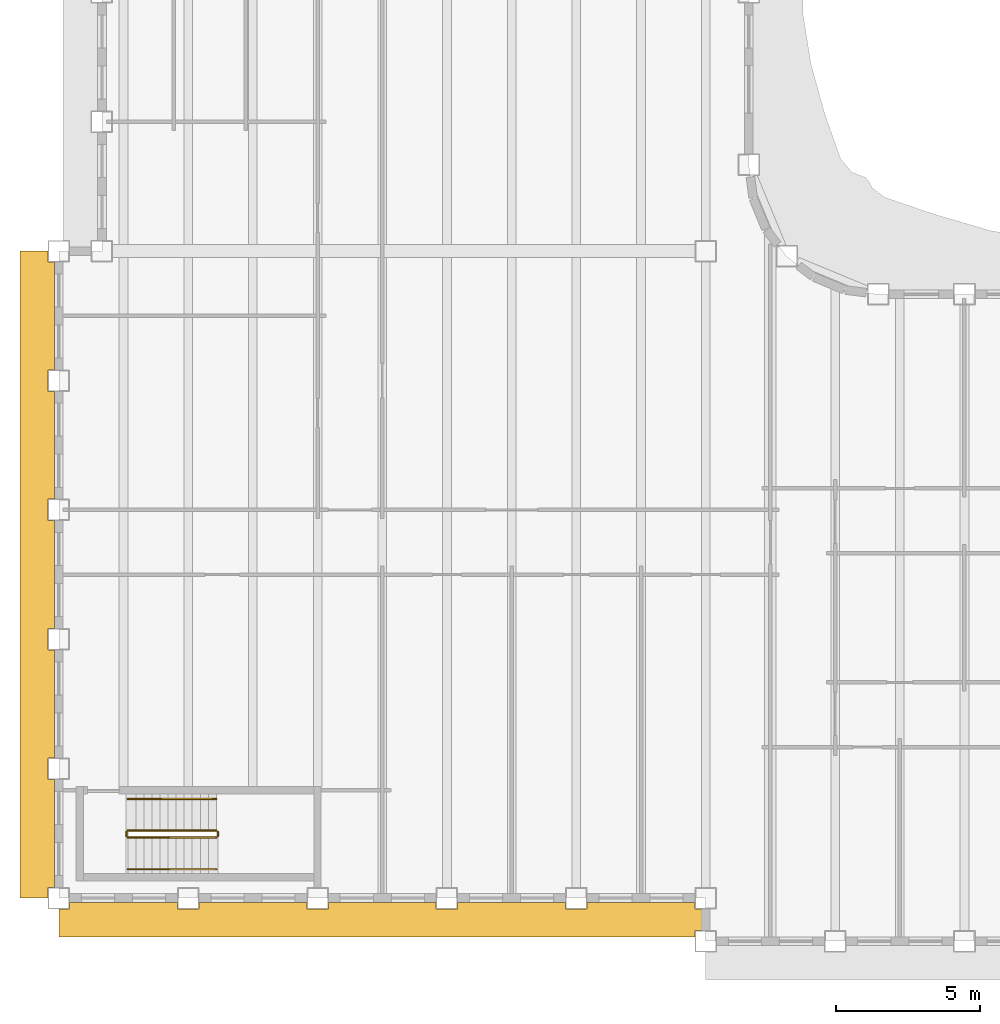
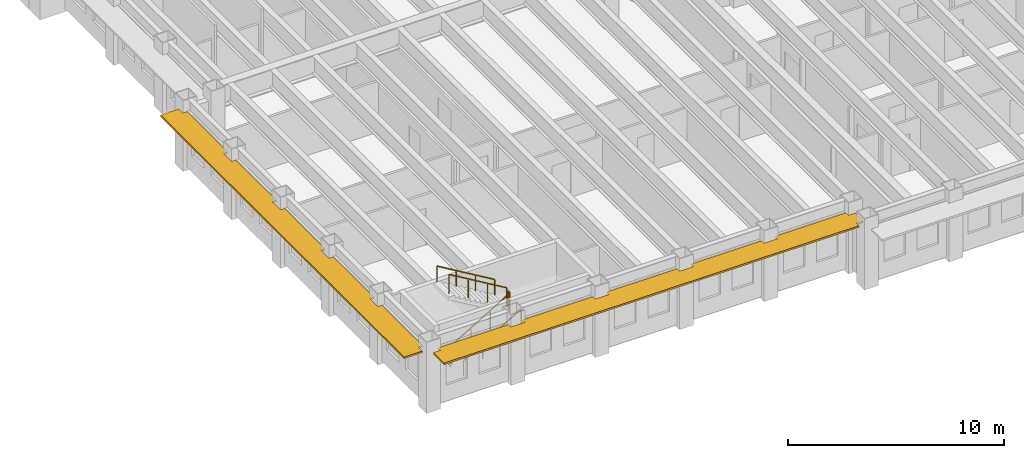
# One storey, part 11 of 16: 6 railings, 2 shading devices.
"""IFC4 building model written with IfcOpenShell, lengths in metres."""

from ifc_helpers import new_model, si_unit, direction, frame, origin, origin_2d, place, context, subcontext, project, spatial, polyline, rectangle, outline, extrude, material, layer, layer_set, type_object, element, save


model = new_model("IFC4")

# Units and contexts
model_context = context("Model", 3, precision=1e-05, world=origin(), true_north=direction((0.0, 1.0)))
body_context = subcontext(model_context, "Body", "Model", "MODEL_VIEW")
ifc_project = project(units=[si_unit("LENGTHUNIT", "METRE"), si_unit("AREAUNIT", "SQUARE_METRE"), si_unit("VOLUMEUNIT", "CUBIC_METRE"), si_unit("PLANEANGLEUNIT", "RADIAN"), si_unit("MASSUNIT", "GRAM", prefix="KILO")], contexts=[model_context])

# Site, building, storey
site_placement = place(None, origin())
site = spatial("IfcSite", under=ifc_project, at=site_placement, CompositionType="ELEMENT")
building_placement = place(site_placement, origin())
building = spatial("IfcBuilding", under=site, at=building_placement, Name="Sennacour Bend Tower", CompositionType="ELEMENT")
storey_placement = place(building_placement, frame((0.0, 0.0, 235.0)))
storey = spatial("IfcBuildingStorey", under=building, at=storey_placement, Name="L54", CompositionType="ELEMENT", Elevation=235.0)

# Railings
ifc_material_1 = material(Name="Stainless steel", Category="steel")
railing_type_1 = type_object("IfcRailingType", Name="RL-GUARD-1100", PredefinedType="GUARDRAIL", material=ifc_material_1)
railing_1_placement = place(storey_placement, frame((2.39990234375, 2.10009765625, 0.166748046875)))
element("IfcRailing", 1, at=railing_1_placement, inside=storey, type_object=railing_type_1, Name="L54 SK1 stair guard 1", PredefinedType="GUARDRAIL", context=body_context, shape_type="SweptSolid", body=[
    extrude(rectangle(XDim=0.048095703125, YDim=0.048095703125, at=origin_2d()), frame((0.0, 0.0, 1.076171875), z_axis=(0.859308565015, 0.0, 0.511457515432), x_axis=(0.0, 1.0, 0.0)), (0.0, 0.0, 1.0), 3.58447265625),
    extrude(rectangle(XDim=0.0419921875, YDim=0.0419921875, at=origin_2d()), origin(), (0.0, 0.0, 1.0), 1.052001953125),
    extrude(rectangle(XDim=0.0419921875, YDim=0.0419921875, at=origin_2d()), frame((1.026611328125, 0.0, 0.611083984375)), (0.0, 0.0, 1.0), 1.052001953125),
    extrude(rectangle(XDim=0.0419921875, YDim=0.0419921875, at=origin_2d()), frame((2.053466796875, 0.0, 1.22216796875)), (0.0, 0.0, 1.0), 1.052001953125),
    extrude(rectangle(XDim=0.0419921875, YDim=0.0419921875, at=origin_2d()), frame((3.080078125, 0.0, 1.833251953125)), (0.0, 0.0, 1.0), 1.052001953125),
])
railing_2_placement = place(storey_placement, frame((5.530029296875, 2.14990234375, 2.0)))
element("IfcRailing", 2, at=railing_2_placement, inside=storey, type_object=railing_type_1, Name="L54 SK1 stair guard 2", PredefinedType="GUARDRAIL", context=body_context, shape_type="SweptSolid", body=[
    extrude(rectangle(XDim=0.048095703125, YDim=0.048095703125, at=origin_2d()), frame((0.0, 0.0, 1.076171875), z_axis=(0.0, 1.0, 0.0), x_axis=(-1.0, 0.0, 0.0)), (0.0, 0.0, 1.0), 0.150146484375),
    extrude(rectangle(XDim=0.0419921875, YDim=0.0419921875, at=origin_2d()), origin(), (0.0, 0.0, 1.0), 1.052001953125),
    extrude(rectangle(XDim=0.0419921875, YDim=0.0419921875, at=origin_2d()), frame((0.0, 0.150146484375, 0.0)), (0.0, 0.0, 1.0), 1.052001953125),
])
railing_3_placement = place(storey_placement, frame((5.47998046875, 2.35009765625, 2.166748046875)))
element("IfcRailing", 3, at=railing_3_placement, inside=storey, type_object=railing_type_1, Name="L54 SK1 stair guard 3", PredefinedType="GUARDRAIL", context=body_context, shape_type="SweptSolid", body=[
    extrude(rectangle(XDim=0.048095703125, YDim=0.048095703125, at=origin_2d()), frame((0.0, 0.0, 1.076171875), z_axis=(-0.859308565015, 0.0, 0.511457515432), x_axis=(0.0, -1.0, 0.0)), (0.0, 0.0, 1.0), 3.58447265625),
    extrude(rectangle(XDim=0.0419921875, YDim=0.0419921875, at=origin_2d()), origin(), (0.0, 0.0, 1.0), 1.052001953125),
    extrude(rectangle(XDim=0.0419921875, YDim=0.0419921875, at=origin_2d()), frame((-1.026611328125, 0.0, 0.611083984375)), (0.0, 0.0, 1.0), 1.052001953125),
    extrude(rectangle(XDim=0.0419921875, YDim=0.0419921875, at=origin_2d()), frame((-2.053466796875, 0.0, 1.22216796875)), (0.0, 0.0, 1.0), 1.052001953125),
    extrude(rectangle(XDim=0.0419921875, YDim=0.0419921875, at=origin_2d()), frame((-3.080078125, 0.0, 1.833251953125)), (0.0, 0.0, 1.0), 1.052001953125),
])
railing_4_placement = place(storey_placement, frame((2.35009765625, 2.14990234375, 0.0)))
element("IfcRailing", 4, at=railing_4_placement, inside=storey, type_object=railing_type_1, Name="L54 SK1 stair guard 4", PredefinedType="GUARDRAIL", context=body_context, shape_type="SweptSolid", body=[
    extrude(rectangle(XDim=0.048095703125, YDim=0.048095703125, at=origin_2d()), frame((0.0, 0.0, 1.076171875), z_axis=(0.0, 1.0, 0.0), x_axis=(-1.0, 0.0, 0.0)), (0.0, 0.0, 1.0), 0.150146484375),
    extrude(rectangle(XDim=0.0419921875, YDim=0.0419921875, at=origin_2d()), origin(), (0.0, 0.0, 1.0), 1.052001953125),
    extrude(rectangle(XDim=0.0419921875, YDim=0.0419921875, at=origin_2d()), frame((0.0, 0.150146484375, 0.0)), (0.0, 0.0, 1.0), 1.052001953125),
])
railing_type_2 = type_object("IfcRailingType", Name="RL-HANDRAIL-900", PredefinedType="HANDRAIL", material=ifc_material_1)
railing_5_placement = place(storey_placement, frame((2.39990234375, 1.0, 0.166748046875)))
element("IfcRailing", 5, at=railing_5_placement, inside=storey, type_object=railing_type_2, Name="L54 SK1 stair handrail 1", PredefinedType="HANDRAIL", context=body_context, shape_type="SweptSolid", body=[
    extrude(rectangle(XDim=0.048095703125, YDim=0.048095703125, at=origin_2d()), frame((0.0, 0.0, 0.8759765625), z_axis=(0.859308565015, 0.0, 0.511457515432), x_axis=(0.0, 1.0, 0.0)), (0.0, 0.0, 1.0), 3.58447265625),
    extrude(rectangle(XDim=0.0419921875, YDim=0.0419921875, at=origin_2d()), origin(), (0.0, 0.0, 1.0), 0.851806640625),
    extrude(rectangle(XDim=0.0419921875, YDim=0.0419921875, at=origin_2d()), frame((1.026611328125, 0.0, 0.611083984375)), (0.0, 0.0, 1.0), 0.851806640625),
    extrude(rectangle(XDim=0.0419921875, YDim=0.0419921875, at=origin_2d()), frame((2.053466796875, 0.0, 1.22216796875)), (0.0, 0.0, 1.0), 0.851806640625),
    extrude(rectangle(XDim=0.0419921875, YDim=0.0419921875, at=origin_2d()), frame((3.080078125, 0.0, 1.833251953125)), (0.0, 0.0, 1.0), 0.851806640625),
])
railing_6_placement = place(storey_placement, frame((5.47998046875, 3.449951171875, 2.166748046875)))
element("IfcRailing", 6, at=railing_6_placement, inside=storey, type_object=railing_type_2, Name="L54 SK1 stair handrail 2", PredefinedType="HANDRAIL", context=body_context, shape_type="SweptSolid", body=[
    extrude(rectangle(XDim=0.048095703125, YDim=0.048095703125, at=origin_2d()), frame((0.0, 0.0, 0.8759765625), z_axis=(-0.859308565015, 0.0, 0.511457515432), x_axis=(0.0, -1.0, 0.0)), (0.0, 0.0, 1.0), 3.58447265625),
    extrude(rectangle(XDim=0.0419921875, YDim=0.0419921875, at=origin_2d()), origin(), (0.0, 0.0, 1.0), 0.851806640625),
    extrude(rectangle(XDim=0.0419921875, YDim=0.0419921875, at=origin_2d()), frame((-1.026611328125, 0.0, 0.611083984375)), (0.0, 0.0, 1.0), 0.851806640625),
    extrude(rectangle(XDim=0.0419921875, YDim=0.0419921875, at=origin_2d()), frame((-2.053466796875, 0.0, 1.22216796875)), (0.0, 0.0, 1.0), 0.851806640625),
    extrude(rectangle(XDim=0.0419921875, YDim=0.0419921875, at=origin_2d()), frame((-3.080078125, 0.0, 1.833251953125)), (0.0, 0.0, 1.0), 0.851806640625),
])

# Shading devices
ifc_material_2 = material(Name="Bronze anodised aluminium", Category="aluminium")
ifc_layer = layer(ifc_material_2, 0.10009765625, Name="Bronze anodised aluminium", Category="aluminium")
ifc_layer_set = layer_set([ifc_layer], Name="Bronze anodised aluminium")
shading_device_type = type_object("IfcShadingDeviceType", Name="SUNSHADE BAND STRAIGHT", PredefinedType="USERDEFINED", material=ifc_layer_set)
shading_device_1_placement = place(storey_placement, frame((0.0, 0.0, 3.056884765625)))
element("IfcShadingDevice", 7, at=shading_device_1_placement, inside=storey, type_object=shading_device_type, Name="Sunshade band L54 K outer face", ObjectType="SUNSHADE", PredefinedType="USERDEFINED", context=body_context, shape_type="SweptSolid", body=[
    extrude(outline(polyline([(-0.14990234375, 18.375), (-0.375, 18.375), (-0.375, 17.625), (-0.14990234375, 17.625), (-0.14990234375, 13.875), (-0.375, 13.875), (-0.375, 13.125), (-0.14990234375, 13.125), (-0.14990234375, 9.375), (-0.375, 9.375), (-0.375, 8.625), (-0.14990234375, 8.625), (-0.14990234375, 4.875), (-0.375, 4.875), (-0.375, 4.125), (-0.14990234375, 4.125), (-0.14990234375, 0.375), (-0.375, 0.375), (-0.375, 0.0), (-1.35009765625, 0.0), (-1.35009765625, 22.5), (-0.375, 22.5), (-0.375, 22.125), (-0.14990234375, 22.125), (-0.14990234375, 18.375)])), origin(), (0.0, 0.0, 1.0), 0.10009765625),
])
shading_device_2_placement = place(storey_placement, frame((0.0, 0.0, 3.056884765625)))
element("IfcShadingDevice", 8, at=shading_device_2_placement, inside=storey, type_object=shading_device_type, Name="Sunshade band L54 K outer face", ObjectType="SUNSHADE", PredefinedType="USERDEFINED", context=body_context, shape_type="SweptSolid", body=[
    extrude(outline(polyline([(4.125, -0.14990234375), (4.125, -0.375), (4.875, -0.375), (4.875, -0.14990234375), (8.625, -0.14990234375), (8.625, -0.375), (9.375, -0.375), (9.375, -0.14990234375), (13.125, -0.14990234375), (13.125, -0.375), (13.875, -0.375), (13.875, -0.14990234375), (17.625, -0.14990234375), (17.625, -0.375), (18.375, -0.375), (18.375, -0.14990234375), (22.125, -0.14990234375), (22.125, -0.375), (22.5, -0.375), (22.5, -1.125), (22.125, -1.125), (22.125, -1.35009765625), (0.0, -1.35009765625), (0.0, -0.375), (0.375, -0.375), (0.375, -0.14990234375), (4.125, -0.14990234375)])), origin(), (0.0, 0.0, 1.0), 0.10009765625),
])

save(model, "model.ifc")
